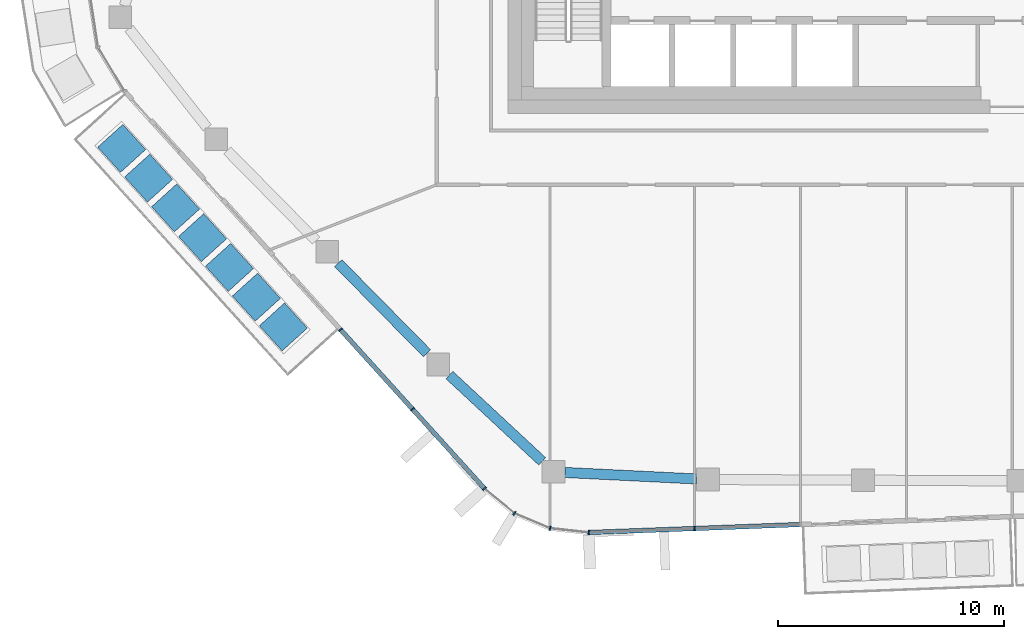
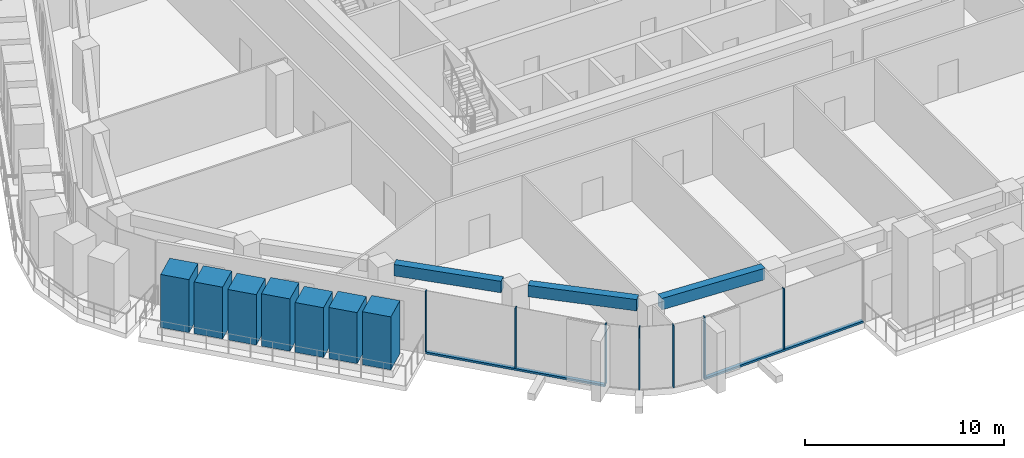
# One storey, part 2 of 23: 16 members, 3 beams, 3 elements without a shape of their own.
"""IFC4 building model written with IfcOpenShell, lengths in metres."""

import ifcopenshell
import ifcopenshell.guid

model = None  # the IFC model being written
_history = None  # IfcOwnerHistory: only IFC2X3 demands one
_inside = {}  # id of a spatial element -> (the spatial element, [elements in it])
_under = {}  # id of a project, library or spatial element -> (it, [spatial elements below it])
_declared = {}  # id of a project -> (the project, [libraries it declares])
_typed = {}  # id of a type object -> (the type object, [elements of that type])
_made_of = {}  # id of a material, layer set ... -> (it, [elements and type objects made of it])


def new_model(schema):
    """Start an empty IFC model of exactly this schema.

    Asked for "IFC4X3", IfcOpenShell would pick the latest addendum, in which some entities
    have other attributes; the version numbers below select the first issue.
    IFC2X3 requires an IfcOwnerHistory on every rooted entity: one is made here for all.
    """
    global model, _history
    if schema == "IFC4X3":
        model = ifcopenshell.file(schema_version=(4, 3, 0, 0))
    else:
        model = ifcopenshell.file(schema=schema)
    _inside.clear()
    _under.clear()
    _declared.clear()
    _typed.clear()
    _made_of.clear()
    _history = None
    if model.schema == "IFC2X3":
        org = make("IfcOrganization", Name="unknown")
        user = make(
            "IfcPersonAndOrganization",
            ThePerson=make("IfcPerson", FamilyName="unknown"),
            TheOrganization=org,
        )
        app = make(
            "IfcApplication",
            ApplicationDeveloper=org,
            Version="unknown",
            ApplicationFullName="unknown",
            ApplicationIdentifier="unknown",
        )
        _history = make(
            "IfcOwnerHistory",
            OwningUser=user,
            OwningApplication=app,
            ChangeAction="ADDED",
            CreationDate=0,
        )
    return model


def make(cls, **values):
    """One entity of the class cls with the attributes given. An attribute that is None is left unset."""
    return model.create_entity(
        cls, **{name: value for name, value in values.items() if value is not None}
    )


def rooted(cls, **values):
    """An entity with a GlobalId (a new one), such as an element, a storey or a relation."""
    return make(cls, GlobalId=ifcopenshell.guid.new(), OwnerHistory=_history, **values)


def si_unit(unit_type, name, prefix=None):
    """IfcSIUnit, for example si_unit("LENGTHUNIT", "METRE", prefix="MILLI")."""
    return make("IfcSIUnit", UnitType=unit_type, Prefix=prefix, Name=name)


def assignment(units):
    """IfcUnitAssignment: the units of a project."""
    return None if units is None else make("IfcUnitAssignment", Units=units)


def point(xyz):
    """IfcCartesianPoint."""
    return None if xyz is None else make("IfcCartesianPoint", Coordinates=xyz)


def direction(xyz):
    """IfcDirection."""
    return None if xyz is None else make("IfcDirection", DirectionRatios=xyz)


def frame(location, z_axis=None, x_axis=None):
    """IfcAxis2Placement3D, a coordinate frame: its origin and axes. An axis left out is left unset."""
    return make(
        "IfcAxis2Placement3D",
        Location=point(location),
        Axis=direction(z_axis),
        RefDirection=direction(x_axis),
    )


def frame_2d(location, x_axis=None):
    """IfcAxis2Placement2D, a coordinate frame in the plane: its origin and x axis."""
    return make(
        "IfcAxis2Placement2D", Location=point(location), RefDirection=direction(x_axis)
    )


def origin():
    """The frame at (0, 0, 0) with its axes left unset."""
    return frame((0.0, 0.0, 0.0))


def origin_2d():
    """The frame at (0, 0) in the plane with its x axis left unset."""
    return frame_2d((0.0, 0.0))


def place(relative_to, where):
    """IfcLocalPlacement: puts the frame where relative to a parent placement (None: the world)."""
    return make(
        "IfcLocalPlacement", PlacementRelTo=relative_to, RelativePlacement=where
    )


def context(
    kind, dimensions, precision=None, world=None, true_north=None, identifier=None
):
    """IfcGeometricRepresentationContext, for example the 3D "Model" context."""
    return make(
        "IfcGeometricRepresentationContext",
        ContextIdentifier=identifier,
        ContextType=kind,
        CoordinateSpaceDimension=dimensions,
        Precision=precision,
        WorldCoordinateSystem=world,
        TrueNorth=true_north,
    )


def subcontext(parent, identifier, kind, view, scale=None):
    """IfcGeometricRepresentationSubContext, for example "Body" below "Model"."""
    return make(
        "IfcGeometricRepresentationSubContext",
        ContextIdentifier=identifier,
        ContextType=kind,
        ParentContext=parent,
        TargetScale=scale,
        TargetView=view,
    )


def project(units=None, contexts=None):
    """IfcProject with its units and contexts."""
    return rooted(
        "IfcProject",
        Name="project",
        RepresentationContexts=contexts,
        UnitsInContext=assignment(units),
    )


def spatial(cls, under=None, at=None, **own):
    """A site, building, storey or space (cls), placed at a placement, below another one or the project."""
    s = rooted(cls, ObjectPlacement=at, **own)
    if under is not None:
        _under.setdefault(under.id(), (under, []))[1].append(s)
    return s


def profile(cls, at=None, kind="AREA", **sizes):
    """A parametric profile (cls). Its sizes go by their IFC names, for example OverallWidth=200.0."""
    return make(cls, ProfileType=kind, Position=at, **sizes)


def rectangle(**sizes):
    """IfcRectangleProfileDef."""
    return profile("IfcRectangleProfileDef", **sizes)


def extrude(swept, where, along, depth):
    """IfcExtrudedAreaSolid: the profile swept, set in the frame where, extruded along a direction by depth."""
    return make(
        "IfcExtrudedAreaSolid",
        SweptArea=swept,
        Position=where,
        ExtrudedDirection=direction(along),
        Depth=depth,
    )


def shape(context_of_items, identifier, shape_type, items):
    """IfcShapeRepresentation: the items that make up one representation, for example the "Body"."""
    return make(
        "IfcShapeRepresentation",
        ContextOfItems=context_of_items,
        RepresentationIdentifier=identifier,
        RepresentationType=shape_type,
        Items=items,
    )


def material(Name=None, Category=None):
    """IfcMaterial."""
    return make("IfcMaterial", Name=Name, Category=Category)


def layer(
    of_material, thickness, ventilated=None, Name=None, Category=None, Priority=None
):
    """IfcMaterialLayer: one layer of a wall or slab, of a material (None: an air gap)."""
    return make(
        "IfcMaterialLayer",
        Material=of_material,
        LayerThickness=thickness,
        IsVentilated=ventilated,
        Name=Name,
        Category=Category,
        Priority=Priority,
    )


def layer_set(layers, Name=None):
    """IfcMaterialLayerSet."""
    return make("IfcMaterialLayerSet", MaterialLayers=layers, LayerSetName=Name)


def material_profile(
    of_material, cross_section, Name=None, Category=None, Priority=None
):
    """IfcMaterialProfile: a cross section and its material."""
    return make(
        "IfcMaterialProfile",
        Name=Name,
        Material=of_material,
        Profile=cross_section,
        Priority=Priority,
        Category=Category,
    )


def profile_set(profiles, Name=None, composite=None):
    """IfcMaterialProfileSet."""
    return make(
        "IfcMaterialProfileSet",
        Name=Name,
        MaterialProfiles=profiles,
        CompositeProfile=composite,
    )


def made_of(thing, what):
    """Note that an element or type object is made of a material, layer set ...; save() writes the relation."""
    if what is not None:
        _made_of.setdefault(what.id(), (what, []))[1].append(thing)
    return thing


def type_object(cls, material=None, **own):
    """A type object (cls), such as IfcWallType, which elements share."""
    return made_of(rooted(cls, **own), material)


def element(
    cls,
    number,
    at=None,
    inside=None,
    cuts=None,
    type_object=None,
    material=None,
    context=None,
    identifier="Body",
    shape_type=None,
    held_by="IfcProductDefinitionShape",
    body=None,
    shapes=None,
    **own,
):
    """One element of the class cls, such as IfcWall. Its Tag is "e" and its number.

    at: its placement. inside: the storey or other place that contains it. cuts: it is an
    opening in that element (IfcRelVoidsElement). A single representation is given by context,
    identifier, shape_type and body (its items); several are given by shapes. held_by: the class
    of the entity that holds the representations. save() writes the other relations.
    """
    e = rooted(cls, Tag="e%d" % number, ObjectPlacement=at, **own)
    if body is not None:
        shapes = [shape(context, identifier, shape_type, body)]
    if shapes is not None:
        e.Representation = make(held_by, Representations=shapes)
    if inside is not None:
        _inside.setdefault(inside.id(), (inside, []))[1].append(e)
    if cuts is not None:
        rooted(
            "IfcRelVoidsElement", RelatingBuildingElement=cuts, RelatedOpeningElement=e
        )
    if type_object is not None:
        _typed.setdefault(type_object.id(), (type_object, []))[1].append(e)
    return made_of(e, material)


def aggregate(whole, parts):
    """IfcRelAggregates: a whole, such as a stair, and the parts it consists of."""
    return rooted("IfcRelAggregates", RelatingObject=whole, RelatedObjects=parts)


def save(model, path):
    """Write the relations noted so far, then the file.

    IfcRelAggregates (storeys below a building ...), IfcRelContainedInSpatialStructure (elements
    in a storey), IfcRelDefinesByType, IfcRelAssociatesMaterial and IfcRelDeclares: one each for
    every whole, place, type object, material and project.
    """
    for whole, parts in _under.values():
        aggregate(whole, parts)
    for where, things in _inside.values():
        rooted(
            "IfcRelContainedInSpatialStructure",
            RelatedElements=things,
            RelatingStructure=where,
        )
    for kind, things in _typed.values():
        rooted("IfcRelDefinesByType", RelatedObjects=things, RelatingType=kind)
    for what, things in _made_of.values():
        rooted("IfcRelAssociatesMaterial", RelatedObjects=things, RelatingMaterial=what)
    for by, libraries in _declared.values():
        rooted("IfcRelDeclares", RelatingContext=by, RelatedDefinitions=libraries)
    model.write(path)


model = new_model("IFC4")

# Units and contexts
model_context = context("Model", 3, precision=1e-05, world=origin(), true_north=direction((0.0, 1.0)))
body_context = subcontext(model_context, "Body", "Model", "MODEL_VIEW")
ifc_project = project(units=[si_unit("LENGTHUNIT", "METRE"), si_unit("AREAUNIT", "SQUARE_METRE"), si_unit("VOLUMEUNIT", "CUBIC_METRE"), si_unit("PLANEANGLEUNIT", "RADIAN"), si_unit("MASSUNIT", "GRAM", prefix="KILO")], contexts=[model_context])

# Site, building, storey
site_placement = place(None, origin())
site = spatial("IfcSite", under=ifc_project, at=site_placement, CompositionType="ELEMENT")
building_placement = place(site_placement, origin())
building = spatial("IfcBuilding", under=site, at=building_placement, Name="Dongbaek Canopy Tower", CompositionType="ELEMENT")
storey_placement = place(building_placement, frame((0.0, 0.0, 315.199951171875)))
storey = spatial("IfcBuildingStorey", under=building, at=storey_placement, Name="L67", CompositionType="ELEMENT", Elevation=315.199951171875)

# Curtain wall, members
ifc_material_1 = material(Name="Aluminium 6063-T6 pale anodised", Category="aluminium")
ifc_layer = layer(ifc_material_1, 0.199951171875)
ifc_layer_set = layer_set([ifc_layer], Name="CW-1 unitised tower curtain wall")
curtain_wall_type = type_object("IfcCurtainWallType", Name="CW-1 unitised tower curtain wall", PredefinedType="NOTDEFINED", material=ifc_layer_set)
curtain_wall_1_placement = place(storey_placement, origin())
curtain_wall_1 = element("IfcCurtainWall", 1, at=curtain_wall_1_placement, inside=storey, type_object=curtain_wall_type, Name="CW-1 curtain wall F3.1", PredefinedType="NOTDEFINED")
ifc_material_2 = material(Name="Aluminium 6063-T6 pale anodised", Category="aluminium")
ifc_material_profile_1 = material_profile(ifc_material_2, rectangle(XDim=0.199951171875, YDim=0.06005859375, at=origin_2d()), Name="CW-1 mullion 60 x 200")
ifc_profile_set_1 = profile_set([ifc_material_profile_1], Name="Aluminium 6063-T6 pale anodised")
member_type_1 = type_object("IfcMemberType", Name="CW-1 mullion 60 x 200", PredefinedType="MULLION", material=ifc_profile_set_1)
member_1_placement = place(storey_placement, frame((-21.392822265625, -20.550048828125, 0.1201171875), z_axis=(0.0, 0.0, 1.0), x_axis=(-0.741254096478, -0.671224526112, 0.0)))
member_1 = element("IfcMember", 2, at=member_1_placement, type_object=member_type_1, Name="CW-1 mullion F3.1.1", PredefinedType="MULLION", context=body_context, shape_type="SweptSolid", body=[
    extrude(rectangle(XDim=0.199951171875, YDim=0.06005859375, at=origin_2d()), origin(), (0.0, 0.0, 1.0), 3.699951171875),
])
member_2_placement = place(storey_placement, frame((-18.213134765625, -24.0615234375, 0.1201171875), z_axis=(0.0, 0.0, 1.0), x_axis=(-0.741254096478, -0.671224526112, 0.0)))
member_2 = element("IfcMember", 3, at=member_2_placement, type_object=member_type_1, Name="CW-1 mullion F3.1.2", PredefinedType="MULLION", context=body_context, shape_type="SweptSolid", body=[
    extrude(rectangle(XDim=0.199951171875, YDim=0.06005859375, at=origin_2d()), origin(), (0.0, 0.0, 1.0), 3.699951171875),
])
member_3_placement = place(storey_placement, frame((-15.038330078125, -27.567626953125, 0.1201171875), z_axis=(0.0, 0.0, 1.0), x_axis=(-0.741254096478, -0.671224526112, 0.0)))
member_3 = element("IfcMember", 4, at=member_3_placement, type_object=member_type_1, Name="CW-1 mullion F3.1.3", PredefinedType="MULLION", context=body_context, shape_type="SweptSolid", body=[
    extrude(rectangle(XDim=0.199951171875, YDim=0.06005859375, at=origin_2d()), origin(), (0.0, 0.0, 1.0), 3.699951171875),
])

curtain_wall_2_placement = place(storey_placement, origin())
curtain_wall_2 = element("IfcCurtainWall", 5, at=curtain_wall_2_placement, inside=storey, type_object=curtain_wall_type, Name="CW-1 curtain wall K4.1", PredefinedType="NOTDEFINED")
member_4_placement = place(storey_placement, frame((-13.71337890625, -28.66015625, 0.0), z_axis=(0.0, 0.0, 1.0), x_axis=(-0.517606246917, -0.855618941558, 0.0)))
member_4 = element("IfcMember", 6, at=member_4_placement, type_object=member_type_1, Name="CW-1 mullion K4.1.2", PredefinedType="MULLION", context=body_context, shape_type="SweptSolid", body=[
    extrude(rectangle(XDim=0.199951171875, YDim=0.06005859375, at=origin_2d()), origin(), (0.0, 0.0, 1.0), 3.820068359375),
])
member_5_placement = place(storey_placement, frame((-12.137451171875, -29.32373046875, 0.0), z_axis=(0.0, 0.0, 1.0), x_axis=(-0.25046929591, -0.968124543541, 0.0)))
member_5 = element("IfcMember", 7, at=member_5_placement, type_object=member_type_1, Name="CW-1 mullion K4.1.3", PredefinedType="MULLION", context=body_context, shape_type="SweptSolid", body=[
    extrude(rectangle(XDim=0.199951171875, YDim=0.06005859375, at=origin_2d()), origin(), (0.0, 0.0, 1.0), 3.820068359375),
])
member_6_placement = place(storey_placement, frame((-10.43017578125, -29.50830078125, 0.0), z_axis=(0.0, 0.0, 1.0), x_axis=(-0.107513799439, -0.994203592294, 0.0)))
member_6 = element("IfcMember", 8, at=member_6_placement, type_object=member_type_1, Name="CW-1 mullion K4.1.4", PredefinedType="MULLION", context=body_context, shape_type="SweptSolid", body=[
    extrude(rectangle(XDim=0.199951171875, YDim=0.06005859375, at=origin_2d()), origin(), (0.0, 0.0, 1.0), 3.820068359375),
])
aggregate(curtain_wall_2, [member_4, member_5, member_6])

# Curtain wall, member
curtain_wall_3_placement = place(storey_placement, origin())
curtain_wall_3 = element("IfcCurtainWall", 9, at=curtain_wall_3_placement, inside=storey, type_object=curtain_wall_type, Name="CW-1 curtain wall F4.1", PredefinedType="NOTDEFINED")
member_7_placement = place(storey_placement, frame((-5.75830078125, -29.33203125, 0.1201171875), z_axis=(0.0, 0.0, 1.0), x_axis=(0.037712000431, -0.999288649502, 0.0)))
member_7 = element("IfcMember", 10, at=member_7_placement, type_object=member_type_1, Name="CW-1 mullion F4.1.2", PredefinedType="MULLION", context=body_context, shape_type="SweptSolid", body=[
    extrude(rectangle(XDim=0.199951171875, YDim=0.06005859375, at=origin_2d()), origin(), (0.0, 0.0, 1.0), 3.699951171875),
])

# Member
ifc_material_3 = material(Name="Aluminium 6063-T6 pale anodised", Category="aluminium")
ifc_material_profile_2 = material_profile(ifc_material_3, rectangle(XDim=0.199951171875, YDim=0.1201171875, at=origin_2d()), Name="CW-1 transom 120 x 200")
ifc_profile_set_2 = profile_set([ifc_material_profile_2], Name="Aluminium 6063-T6 pale anodised")
member_type_2 = type_object("IfcMemberType", Name="CW-1 transom 120 x 200", PredefinedType="USERDEFINED", material=ifc_profile_set_2)
member_8_placement = place(storey_placement, frame((-21.392822265625, -20.550048828125, 0.06005859375), z_axis=(0.671218482557, -0.741259569027, 0.0), x_axis=(0.741259569027, 0.671218482557, 0.0)))
member_8 = element("IfcMember", 11, at=member_8_placement, type_object=member_type_2, Name="CW-1 transom F3.1.1", ObjectType="TRANSOM", PredefinedType="USERDEFINED", context=body_context, shape_type="SweptSolid", body=[
    extrude(rectangle(XDim=0.199951171875, YDim=0.1201171875, at=origin_2d()), origin(), (0.0, 0.0, 1.0), 9.467041015625),
])

aggregate(curtain_wall_1, [member_1, member_2, member_3, member_8])

member_9_placement = place(storey_placement, frame((-10.43017578125, -29.50830078125, 0.06005859375), z_axis=(0.999289151831, 0.037698687424, 0.0), x_axis=(-0.037698687424, 0.999289151831, 0.0)))
member_9 = element("IfcMember", 12, at=member_9_placement, type_object=member_type_2, Name="CW-1 transom F4.1.1", ObjectType="TRANSOM", PredefinedType="USERDEFINED", context=body_context, shape_type="SweptSolid", body=[
    extrude(rectangle(XDim=0.199951171875, YDim=0.1201171875, at=origin_2d()), origin(), (0.0, 0.0, 1.0), 9.35791015625),
])

aggregate(curtain_wall_3, [member_7, member_9])

# Beams
ifc_material_4 = material(Name="Concrete C60", Category="concrete")
ifc_material_profile_3 = material_profile(ifc_material_4, rectangle(XDim=0.449951171875, YDim=0.699951171875, at=origin_2d()), Name="RC EDGE BEAM 450x700 C60")
ifc_profile_set_3 = profile_set([ifc_material_profile_3], Name="Concrete C60")
beam_type = type_object("IfcBeamType", Name="RC EDGE BEAM 450x700 C60", PredefinedType="BEAM", material=ifc_profile_set_3)
beam_1_placement = place(storey_placement, frame((-5.666015625, -27.142333984375, 3.469970703125), z_axis=(-0.998789160621, 0.049195656579, 0.0), x_axis=(-0.049195656579, -0.998789160621, 0.0)))
element("IfcBeam", 13, at=beam_1_placement, inside=storey, type_object=beam_type, Name="EDGEBEAM:L67:03", PredefinedType="BEAM", context=body_context, shape_type="SweptSolid", body=[
    extrude(rectangle(XDim=0.449951171875, YDim=0.699951171875, at=origin_2d()), origin(), (0.0, 0.0, 1.0), 5.826171875),
])
beam_2_placement = place(storey_placement, frame((-12.485107421875, -26.365966796875, 3.469970703125), z_axis=(-0.732266655485, 0.681018021248, 0.0), x_axis=(-0.681018021248, -0.732266655485, 0.0)))
element("IfcBeam", 14, at=beam_2_placement, inside=storey, type_object=beam_type, Name="EDGEBEAM:L67:04", PredefinedType="BEAM", context=body_context, shape_type="SweptSolid", body=[
    extrude(rectangle(XDim=0.449951171875, YDim=0.699951171875, at=origin_2d()), origin(), (0.0, 0.0, 1.0), 5.597412109375),
])
beam_3_placement = place(storey_placement, frame((-17.576416015625, -21.589111328125, 3.469970703125), z_axis=(-0.701706740597, 0.712465894062, 0.0), x_axis=(-0.712465894062, -0.701706740597, 0.0)))
element("IfcBeam", 15, at=beam_3_placement, inside=storey, type_object=beam_type, Name="EDGEBEAM:L67:05", PredefinedType="BEAM", context=body_context, shape_type="SweptSolid", body=[
    extrude(rectangle(XDim=0.449951171875, YDim=0.699951171875, at=origin_2d()), origin(), (0.0, 0.0, 1.0), 5.58203125),
])

# Members
ifc_material_5 = material(Name="Concrete C40/50 planter mass with planting", Category="concrete")
ifc_material_profile_4 = material_profile(ifc_material_5, rectangle(XDim=1.5, YDim=1.5, at=origin_2d()), Name="Terrace PLANTER shrub mass 1500 x 1500")
ifc_profile_set_4 = profile_set([ifc_material_profile_4], Name="Concrete C40/50 planter mass with planting")
member_type_3 = type_object("IfcMemberType", Name="Terrace PLANTER shrub mass 1500 x 1500", PredefinedType="USERDEFINED", material=ifc_profile_set_4)
member_10_placement = place(storey_placement, frame((-31.059814453125, -12.541259765625, 0.420166015625), z_axis=(0.0, 0.0, 1.0), x_axis=(-0.741254096478, -0.671224526112, 0.0)))
element("IfcMember", 16, at=member_10_placement, inside=storey, type_object=member_type_3, Name="Planter shrubs L67 3.1", ObjectType="PLANTER", PredefinedType="USERDEFINED", context=body_context, shape_type="SweptSolid", body=[
    extrude(rectangle(XDim=1.5, YDim=1.5, at=origin_2d()), origin(), (0.0, 0.0, 1.0), 3.25),
])
member_11_placement = place(storey_placement, frame((-29.86962890625, -13.855712890625, 0.420166015625), z_axis=(0.0, 0.0, 1.0), x_axis=(-0.741254096478, -0.671224526112, 0.0)))
element("IfcMember", 17, at=member_11_placement, inside=storey, type_object=member_type_3, Name="Planter shrubs L67 3.2", ObjectType="PLANTER", PredefinedType="USERDEFINED", context=body_context, shape_type="SweptSolid", body=[
    extrude(rectangle(XDim=1.5, YDim=1.5, at=origin_2d()), origin(), (0.0, 0.0, 1.0), 3.169921875),
])
member_12_placement = place(storey_placement, frame((-28.679443359375, -15.169921875, 0.420166015625), z_axis=(0.0, 0.0, 1.0), x_axis=(-0.741254096478, -0.671224526112, 0.0)))
element("IfcMember", 18, at=member_12_placement, inside=storey, type_object=member_type_3, Name="Planter shrubs L67 3.3", ObjectType="PLANTER", PredefinedType="USERDEFINED", context=body_context, shape_type="SweptSolid", body=[
    extrude(rectangle(XDim=1.5, YDim=1.5, at=origin_2d()), origin(), (0.0, 0.0, 1.0), 3.08984375),
])
member_13_placement = place(storey_placement, frame((-27.4892578125, -16.484375, 0.420166015625), z_axis=(0.0, 0.0, 1.0), x_axis=(-0.741254096478, -0.671224526112, 0.0)))
element("IfcMember", 19, at=member_13_placement, inside=storey, type_object=member_type_3, Name="Planter shrubs L67 3.4", ObjectType="PLANTER", PredefinedType="USERDEFINED", context=body_context, shape_type="SweptSolid", body=[
    extrude(rectangle(XDim=1.5, YDim=1.5, at=origin_2d()), origin(), (0.0, 0.0, 1.0), 3.2099609375),
])
member_14_placement = place(storey_placement, frame((-26.29931640625, -17.798583984375, 0.420166015625), z_axis=(0.0, 0.0, 1.0), x_axis=(-0.741254096478, -0.671224526112, 0.0)))
element("IfcMember", 20, at=member_14_placement, inside=storey, type_object=member_type_3, Name="Planter shrubs L67 3.5", ObjectType="PLANTER", PredefinedType="USERDEFINED", context=body_context, shape_type="SweptSolid", body=[
    extrude(rectangle(XDim=1.5, YDim=1.5, at=origin_2d()), origin(), (0.0, 0.0, 1.0), 3.0498046875),
])
member_15_placement = place(storey_placement, frame((-25.109130859375, -19.113037109375, 0.420166015625), z_axis=(0.0, 0.0, 1.0), x_axis=(-0.741254096478, -0.671224526112, 0.0)))
element("IfcMember", 21, at=member_15_placement, inside=storey, type_object=member_type_3, Name="Planter shrubs L67 3.6", ObjectType="PLANTER", PredefinedType="USERDEFINED", context=body_context, shape_type="SweptSolid", body=[
    extrude(rectangle(XDim=1.5, YDim=1.5, at=origin_2d()), origin(), (0.0, 0.0, 1.0), 3.1298828125),
])
member_16_placement = place(storey_placement, frame((-23.9189453125, -20.42724609375, 0.420166015625), z_axis=(0.0, 0.0, 1.0), x_axis=(-0.741254096478, -0.671224526112, 0.0)))
element("IfcMember", 22, at=member_16_placement, inside=storey, type_object=member_type_3, Name="Planter shrubs L67 3.7", ObjectType="PLANTER", PredefinedType="USERDEFINED", context=body_context, shape_type="SweptSolid", body=[
    extrude(rectangle(XDim=1.5, YDim=1.5, at=origin_2d()), origin(), (0.0, 0.0, 1.0), 3.25),
])

save(model, "model.ifc")
